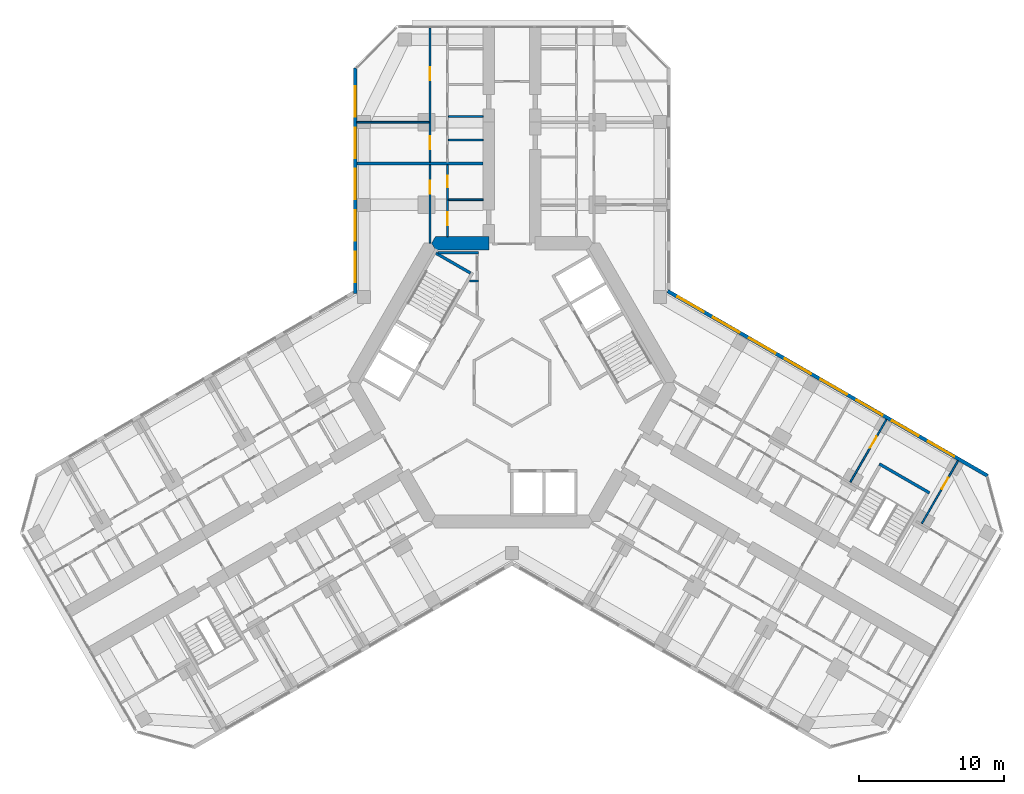
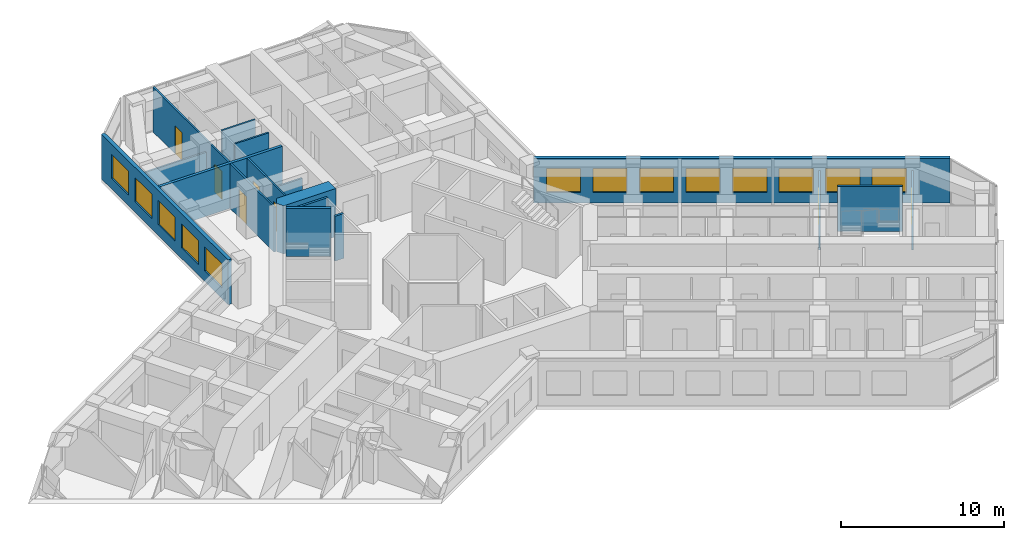
# One storey, part 16 of 19: 17 walls, 13 windows, 7 doors, 20 openings.
"""IFC4 building model written with IfcOpenShell, lengths in metres."""

from ifc_helpers import new_model, si_unit, direction, frame, frame_2d, origin, place, context, subcontext, project, spatial, polyline, rectangle, outline, extrude, material, layer, layer_set, type_object, element, fill, save


model = new_model("IFC4")

# Units and contexts
model_context = context("Model", 3, precision=1e-05, world=origin(), true_north=direction((0.0, 1.0)))
body_context = subcontext(model_context, "Body", "Model", "MODEL_VIEW")
ifc_project = project(units=[si_unit("LENGTHUNIT", "METRE"), si_unit("AREAUNIT", "SQUARE_METRE"), si_unit("VOLUMEUNIT", "CUBIC_METRE"), si_unit("PLANEANGLEUNIT", "RADIAN"), si_unit("MASSUNIT", "GRAM", prefix="KILO")], contexts=[model_context])

# Site, building, storey
site_placement = place(None, origin())
site = spatial("IfcSite", under=ifc_project, at=site_placement, CompositionType="ELEMENT")
building_placement = place(site_placement, origin())
building = spatial("IfcBuilding", under=site, at=building_placement, Name="Kosmar Iwan School Tower", CompositionType="ELEMENT")
storey_placement = place(building_placement, frame((0.0, 0.0, 134.60009765625)))
storey = spatial("IfcBuildingStorey", under=building, at=storey_placement, Name="L33", CompositionType="ELEMENT", Elevation=134.60009765625)

# Walls
ifc_material_1 = material(Name="Gypsum board on steel studs, fire-rated", Category="steel")
ifc_layer_1 = layer(ifc_material_1, 0.14990234375)
ifc_layer_set_1 = layer_set([ifc_layer_1], Name="Core room partition 150")
wall_type_1 = type_object("IfcWallType", Name="Core room partition 150", PredefinedType="PARTITIONING", material=ifc_layer_set_1)
wall_1_placement = place(storey_placement, frame((-2.324951171875, 6.985107421875, 0.0), z_axis=(0.0, 0.0, 1.0), x_axis=(-1.0, 0.0, 0.0)))
element("IfcWall", 1, at=wall_1_placement, inside=storey, type_object=wall_type_1, Name="Core room partition L33-CW2", PredefinedType="PARTITIONING", context=body_context, shape_type="SweptSolid", body=[
    extrude(rectangle(XDim=0.623779296875, YDim=0.14990234375, at=frame_2d((0.31201171875, 0.0))), origin(), (0.0, 0.0, 1.0), 3.349853515625),
])
wall_2_placement = place(storey_placement, frame((-5.089599609375, 8.93994140625, 0.0), z_axis=(0.0, 0.0, 1.0), x_axis=(1.0, 0.0, 0.0)))
element("IfcWall", 2, at=wall_2_placement, inside=storey, type_object=wall_type_1, Name="Core room partition L33-CW3", PredefinedType="PARTITIONING", context=body_context, shape_type="SweptSolid", body=[
    extrude(rectangle(XDim=2.7646484375, YDim=0.14990234375, at=frame_2d((1.38232421875, 0.0))), origin(), (0.0, 0.0, 1.0), 3.349853515625),
])
ifc_material_2 = material(Name="Concrete C50/60", Category="concrete")
ifc_layer_2 = layer(ifc_material_2, 0.89990234375)
ifc_layer_set_2 = layer_set([ifc_layer_2], Name="Core wall 900")
wall_type_2 = type_object("IfcWallType", Name="Core wall 900", PredefinedType="SHEAR", material=ifc_layer_set_2)
wall_3_placement = place(storey_placement, origin())
element("IfcWall", 3, at=wall_3_placement, inside=storey, type_object=wall_type_2, Name="Core wall F090b", PredefinedType="SHEAR", context=body_context, shape_type="SweptSolid", body=[
    extrude(outline(polyline([(-5.28271484375, 9.14990234375), (-1.60009765625, 9.14990234375), (-1.60009765625, 10.050048828125), (-5.28271484375, 10.050048828125), (-5.54248046875, 9.60009765625), (-5.28271484375, 9.14990234375)])), origin(), (0.0, 0.0, 1.0), 3.599853515625),
])

# Wall, openings, doors
ifc_material_3 = material(Name="Gypsum board on steel studs", Category="steel")
ifc_layer_3 = layer(ifc_material_3, 0.1201171875)
ifc_layer_set_3 = layer_set([ifc_layer_3], Name="Dwelling partition 120")
wall_type_3 = type_object("IfcWallType", Name="Dwelling partition 120", PredefinedType="PARTITIONING", material=ifc_layer_set_3)
wall_4_placement = place(storey_placement, frame((-4.449951171875, 10.050048828125, 0.0), z_axis=(0.0, 0.0, 1.0), x_axis=(0.0, 1.0, 0.0)))
wall_4 = element("IfcWall", 4, at=wall_4_placement, inside=storey, type_object=wall_type_3, Name="Partition L33-AL1-W1", PredefinedType="PARTITIONING", context=body_context, shape_type="SweptSolid", body=[
    extrude(rectangle(XDim=4.949951171875, YDim=0.1201171875, at=frame_2d((2.47509765625, 0.0))), origin(), (0.0, 0.0, 1.0), 3.349853515625),
])
opening_1_placement = place(wall_4_placement, frame((0.800048828125, 0.0, 0.0)))
opening_1 = element("IfcOpeningElement", 5, at=opening_1_placement, cuts=wall_4, Name="Opening D2", PredefinedType="OPENING", context=body_context, shape_type="SweptSolid", body=[
    extrude(rectangle(XDim=0.89990234375, YDim=2.10009765625, at=frame_2d((0.449951171875, 1.050048828125))), frame((0.0, 0.072021484375, 0.0), z_axis=(0.0, -1.0, 0.0), x_axis=(1.0, 0.0, 0.0)), (0.0, 0.0, 1.0), 0.14404296875),
])
opening_2_placement = place(wall_4_placement, frame((3.39990234375, 0.0, 0.0)))
opening_2 = element("IfcOpeningElement", 6, at=opening_2_placement, cuts=wall_4, Name="Opening D3", PredefinedType="OPENING", context=body_context, shape_type="SweptSolid", body=[
    extrude(rectangle(XDim=0.800048828125, YDim=2.10009765625, at=frame_2d((0.39990234375, 1.050048828125))), frame((0.0, 0.072021484375, 0.0), z_axis=(0.0, -1.0, 0.0), x_axis=(1.0, 0.0, 0.0)), (0.0, 0.0, 1.0), 0.14404296875),
])
ifc_material_4 = material(Name="Timber door in timber frame", Category="wood")
door_type_1 = type_object("IfcDoorType", Name="Internal door 900x2100", OperationType="SINGLE_SWING_LEFT", PredefinedType="DOOR", material=ifc_material_4)
door_1_placement = place(opening_1_placement, origin())
door_1 = element("IfcDoor", 7, at=door_1_placement, inside=storey, type_object=door_type_1, Name="Entrance hall door L33-AL1-S1", OperationType="SINGLE_SWING_LEFT", OverallHeight=2.10009765625, OverallWidth=0.89990234375, PredefinedType="DOOR", context=body_context, shape_type="SweptSolid", body=[
    extrude(rectangle(XDim=0.89990234375, YDim=2.10009765625, at=frame_2d((0.449951171875, 1.050048828125))), frame((0.0, 0.02490234375, 0.0), z_axis=(0.0, -1.0, 0.0), x_axis=(1.0, 0.0, 0.0)), (0.0, 0.0, 1.0), 0.050048828125),
])
fill(opening_1, door_1)
ifc_material_5 = material(Name="Timber door in timber frame", Category="wood")
door_type_2 = type_object("IfcDoorType", Name="Sanitary room door 800x2100", OperationType="SINGLE_SWING_LEFT", PredefinedType="DOOR", material=ifc_material_5)
door_2_placement = place(opening_2_placement, origin())
door_2 = element("IfcDoor", 8, at=door_2_placement, inside=storey, type_object=door_type_2, Name="Bathroom door L33-AL1-S2", OperationType="SINGLE_SWING_RIGHT", OverallHeight=2.10009765625, OverallWidth=0.800048828125, PredefinedType="DOOR", context=body_context, shape_type="SweptSolid", body=[
    extrude(rectangle(XDim=0.800048828125, YDim=2.10009765625, at=frame_2d((0.39990234375, 1.050048828125))), frame((0.0, 0.02490234375, 0.0), z_axis=(0.0, -1.0, 0.0), x_axis=(1.0, 0.0, 0.0)), (0.0, 0.0, 1.0), 0.050048828125),
])
fill(opening_2, door_2)

# Wall, opening, door
wall_5_placement = place(storey_placement, frame((-5.64990234375, 9.60009765625, 0.0), z_axis=(0.0, 0.0, 1.0), x_axis=(0.0, 1.0, 0.0)))
wall_5 = element("IfcWall", 9, at=wall_5_placement, inside=storey, type_object=wall_type_3, Name="Partition L33-AL1-W2", PredefinedType="PARTITIONING", context=body_context, shape_type="SweptSolid", body=[
    extrude(rectangle(XDim=5.39990234375, YDim=0.1201171875, at=frame_2d((2.699951171875, 0.0))), origin(), (0.0, 0.0, 1.0), 3.349853515625),
])
opening_3_placement = place(wall_5_placement, frame((3.39990234375, 0.0, 0.0)))
opening_3 = element("IfcOpeningElement", 10, at=opening_3_placement, cuts=wall_5, Name="Opening D2", PredefinedType="OPENING", context=body_context, shape_type="SweptSolid", body=[
    extrude(rectangle(XDim=0.89990234375, YDim=2.10009765625, at=frame_2d((0.449951171875, 1.050048828125))), frame((0.0, 0.072021484375, 0.0), z_axis=(0.0, -1.0, 0.0), x_axis=(1.0, 0.0, 0.0)), (0.0, 0.0, 1.0), 0.14404296875),
])
door_3_placement = place(opening_3_placement, origin())
door_3 = element("IfcDoor", 11, at=door_3_placement, inside=storey, type_object=door_type_1, Name="Studio living room and kitchen door L33-AL1-F1", OperationType="SINGLE_SWING_RIGHT", OverallHeight=2.10009765625, OverallWidth=0.89990234375, PredefinedType="DOOR", context=body_context, shape_type="SweptSolid", body=[
    extrude(rectangle(XDim=0.89990234375, YDim=2.10009765625, at=frame_2d((0.449951171875, 1.050048828125))), frame((0.0, 0.02490234375, 0.0), z_axis=(0.0, -1.0, 0.0), x_axis=(1.0, 0.0, 0.0)), (0.0, 0.0, 1.0), 0.050048828125),
])
fill(opening_3, door_3)

# Wall
wall_6_placement = place(storey_placement, frame((-2.0, 12.60009765625, 0.0), z_axis=(0.0, 0.0, 1.0), x_axis=(-1.0, 0.0, 0.0)))
element("IfcWall", 12, at=wall_6_placement, inside=storey, type_object=wall_type_3, Name="Partition L33-AL1-Y1", PredefinedType="PARTITIONING", context=body_context, shape_type="SweptSolid", body=[
    extrude(rectangle(XDim=2.389892578125, YDim=0.1201171875, at=frame_2d((1.19482421875, 0.0))), origin(), (0.0, 0.0, 1.0), 2.449951171875),
])

# Wall, openings, doors
wall_7_placement = place(storey_placement, frame((-5.64990234375, 15.199951171875, 0.0), z_axis=(0.0, 0.0, 1.0), x_axis=(0.0, 1.0, 0.0)))
wall_7 = element("IfcWall", 13, at=wall_7_placement, inside=storey, type_object=wall_type_3, Name="Partition L33-AL2-W2", PredefinedType="PARTITIONING", context=body_context, shape_type="SweptSolid", body=[
    extrude(rectangle(XDim=9.2451171875, YDim=0.1201171875, at=frame_2d((4.62255859375, 0.0))), origin(), (0.0, 0.0, 1.0), 3.349853515625),
])
opening_4_placement = place(wall_7_placement, frame((0.875, 0.0, 0.0)))
opening_4 = element("IfcOpeningElement", 14, at=opening_4_placement, cuts=wall_7, Name="Opening D2", PredefinedType="OPENING", context=body_context, shape_type="SweptSolid", body=[
    extrude(rectangle(XDim=0.89990234375, YDim=2.10009765625, at=frame_2d((0.449951171875, 1.050048828125))), frame((0.0, 0.072021484375, 0.0), z_axis=(0.0, -1.0, 0.0), x_axis=(1.0, 0.0, 0.0)), (0.0, 0.0, 1.0), 0.14404296875),
])
opening_5_placement = place(wall_7_placement, frame((5.64990234375, 0.0, 0.0)))
opening_5 = element("IfcOpeningElement", 15, at=opening_5_placement, cuts=wall_7, Name="Opening D2", PredefinedType="OPENING", context=body_context, shape_type="SweptSolid", body=[
    extrude(rectangle(XDim=0.89990234375, YDim=2.10009765625, at=frame_2d((0.449951171875, 1.050048828125))), frame((0.0, 0.072021484375, 0.0), z_axis=(0.0, -1.0, 0.0), x_axis=(1.0, 0.0, 0.0)), (0.0, 0.0, 1.0), 0.14404296875),
])
door_4_placement = place(opening_4_placement, origin())
door_4 = element("IfcDoor", 16, at=door_4_placement, inside=storey, type_object=door_type_1, Name="Bedroom 1 door L33-AL2-F1", OperationType="SINGLE_SWING_LEFT", OverallHeight=2.10009765625, OverallWidth=0.89990234375, PredefinedType="DOOR", context=body_context, shape_type="SweptSolid", body=[
    extrude(rectangle(XDim=0.89990234375, YDim=2.10009765625, at=frame_2d((0.449951171875, 1.050048828125))), frame((0.0, 0.02490234375, 0.0), z_axis=(0.0, -1.0, 0.0), x_axis=(1.0, 0.0, 0.0)), (0.0, 0.0, 1.0), 0.050048828125),
])
fill(opening_4, door_4)
door_5_placement = place(opening_5_placement, origin())
door_5 = element("IfcDoor", 17, at=door_5_placement, inside=storey, type_object=door_type_1, Name="Family room and kitchen door L33-AL2-F2", OperationType="SINGLE_SWING_RIGHT", OverallHeight=2.10009765625, OverallWidth=0.89990234375, PredefinedType="DOOR", context=body_context, shape_type="SweptSolid", body=[
    extrude(rectangle(XDim=0.89990234375, YDim=2.10009765625, at=frame_2d((0.449951171875, 1.050048828125))), frame((0.0, 0.02490234375, 0.0), z_axis=(0.0, -1.0, 0.0), x_axis=(1.0, 0.0, 0.0)), (0.0, 0.0, 1.0), 0.050048828125),
])
fill(opening_5, door_5)

# Walls
wall_8_placement = place(storey_placement, frame((-5.7099609375, 17.949951171875, 0.0), z_axis=(0.0, 0.0, 1.0), x_axis=(-1.0, 0.0, 0.0)))
element("IfcWall", 18, at=wall_8_placement, inside=storey, type_object=wall_type_3, Name="Partition L33-AL2-X1", PredefinedType="PARTITIONING", context=body_context, shape_type="SweptSolid", body=[
    extrude(rectangle(XDim=4.989990234375, YDim=0.1201171875, at=frame_2d((2.4951171875, 0.0))), origin(), (0.0, 0.0, 1.0), 2.449951171875),
])
for number, where, z_axis, x_axis, name in (
    (19, (-2.0, 16.72509765625, 0.0), (0.0, 0.0, 1.0), (-1.0, 0.0, 0.0), "Partition L33-AL2-Y1"),
    (20, (-2.0, 18.35009765625, 0.0), (0.0, 0.0, 1.0), (-1.0, 0.0, 0.0), "Partition L33-AL2-Y2"),
):
    element("IfcWall", number, at=place(storey_placement, frame(where, z_axis=z_axis, x_axis=x_axis)), inside=storey, type_object=wall_type_3, Name=name, PredefinedType="PARTITIONING", context=body_context, shape_type="SweptSolid", body=[
        extrude(rectangle(XDim=2.389892578125, YDim=0.1201171875, at=frame_2d((1.19482421875, 0.0))), origin(), (0.0, 0.0, 1.0), 3.349853515625),
    ])

# Wall, opening, door
wall_9_placement = place(storey_placement, frame((23.33642578125, -6.8798828125, 0.0), z_axis=(0.0, 0.0, 1.0), x_axis=(0.500033033937, 0.866006330792, 0.0)))
wall_9 = element("IfcWall", 21, at=wall_9_placement, inside=storey, type_object=wall_type_3, Name="Partition L33-CL2-TB", PredefinedType="PARTITIONING", context=body_context, shape_type="SweptSolid", body=[
    extrude(rectangle(XDim=4.989990234375, YDim=0.1201171875, at=frame_2d((2.4951171875, 0.0))), origin(), (0.0, 0.0, 1.0), 2.449951171875),
])
opening_6_placement = place(wall_9_placement, frame((2.739990234375, 0.0, 0.0)))
opening_6 = element("IfcOpeningElement", 22, at=opening_6_placement, cuts=wall_9, Name="Opening D2", PredefinedType="OPENING", context=body_context, shape_type="SweptSolid", body=[
    extrude(rectangle(XDim=0.89990234375, YDim=2.10009765625, at=frame_2d((0.449951171875, 1.050048828125))), frame((0.0, 0.072021484375, 0.0), z_axis=(0.0, -1.0, 0.0), x_axis=(1.0, 0.0, 0.0)), (0.0, 0.0, 1.0), 0.14404296875),
])
door_6_placement = place(opening_6_placement, origin())
door_6 = element("IfcDoor", 23, at=door_6_placement, inside=storey, type_object=door_type_1, Name="Study door L33-CL2-F2", OperationType="SINGLE_SWING_RIGHT", OverallHeight=2.10009765625, OverallWidth=0.89990234375, PredefinedType="DOOR", context=body_context, shape_type="SweptSolid", body=[
    extrude(rectangle(XDim=0.89990234375, YDim=2.10009765625, at=frame_2d((0.449951171875, 1.050048828125))), frame((0.0, 0.02490234375, 0.0), z_axis=(0.0, -1.0, 0.0), x_axis=(1.0, 0.0, 0.0)), (0.0, 0.0, 1.0), 0.050048828125),
])
fill(opening_6, door_6)

wall_10_placement = place(storey_placement, frame((28.27294921875, -9.72998046875, 0.0), z_axis=(0.0, 0.0, 1.0), x_axis=(0.499975153383, 0.86603974851, 0.0)))
wall_10 = element("IfcWall", 24, at=wall_10_placement, inside=storey, type_object=wall_type_3, Name="Partition L33-CL2-TX", PredefinedType="PARTITIONING", context=body_context, shape_type="SweptSolid", body=[
    extrude(rectangle(XDim=4.989990234375, YDim=0.1201171875, at=frame_2d((2.4951171875, 0.0))), origin(), (0.0, 0.0, 1.0), 2.449951171875),
])
opening_7_placement = place(wall_10_placement, frame((2.739990234375, 0.0, 0.0)))
opening_7 = element("IfcOpeningElement", 25, at=opening_7_placement, cuts=wall_10, Name="Opening D2", PredefinedType="OPENING", context=body_context, shape_type="SweptSolid", body=[
    extrude(rectangle(XDim=0.89990234375, YDim=2.10009765625, at=frame_2d((0.449951171875, 1.050048828125))), frame((0.0, 0.072021484375, 0.0), z_axis=(0.0, -1.0, 0.0), x_axis=(1.0, 0.0, 0.0)), (0.0, 0.0, 1.0), 0.14404296875),
])
door_7_placement = place(opening_7_placement, origin())
door_7 = element("IfcDoor", 26, at=door_7_placement, inside=storey, type_object=door_type_1, Name="Study door L33-CL2-T1", OperationType="SINGLE_SWING_RIGHT", OverallHeight=2.10009765625, OverallWidth=0.89990234375, PredefinedType="DOOR", context=body_context, shape_type="SweptSolid", body=[
    extrude(rectangle(XDim=0.89990234375, YDim=2.10009765625, at=frame_2d((0.449951171875, 1.050048828125))), frame((0.0, 0.02490234375, 0.0), z_axis=(0.0, -1.0, 0.0), x_axis=(1.0, 0.0, 0.0)), (0.0, 0.0, 1.0), 0.050048828125),
])
fill(opening_7, door_7)

# Wall
ifc_material_6 = material(Name="Concrete C35/45", Category="concrete")
ifc_layer_4 = layer(ifc_material_6, 0.199951171875)
ifc_layer_set_4 = layer_set([ifc_layer_4], Name="Escape stair wall 200")
wall_type_4 = type_object("IfcWallType", Name="Escape stair wall 200", PredefinedType="SHEAR", material=ifc_layer_set_4)
wall_11_placement = place(storey_placement, frame((25.334228515625, -5.6201171875, 0.0), z_axis=(0.0, 0.0, 1.0), x_axis=(0.866026010844, -0.49999894854, 0.0)))
element("IfcWall", 27, at=wall_11_placement, inside=storey, type_object=wall_type_4, Name="Stair WS3 wall", PredefinedType="SHEAR", context=body_context, shape_type="SweptSolid", body=[
    extrude(rectangle(XDim=4.0, YDim=0.199951171875, at=frame_2d((2.0, 0.0))), origin(), (0.0, 0.0, 1.0), 3.329833984375),
])

# Wall, openings, windows
ifc_material_7 = material(Name="Black aluminium rainscreen on insulated framing", Category="aluminium")
ifc_layer_5 = layer(ifc_material_7, 0.25)
ifc_layer_set_5 = layer_set([ifc_layer_5], Name="External wall rainscreen 250")
wall_type_5 = type_object("IfcWallType", Name="External wall rainscreen 250", PredefinedType="SOLIDWALL", material=ifc_layer_set_5)
wall_12_placement = place(storey_placement, frame((10.73681640625, 6.30078125, 0.0), z_axis=(0.0, 0.0, 1.0), x_axis=(0.866026390279, -0.499998291337, 0.0)))
wall_12 = element("IfcWall", 28, at=wall_12_placement, inside=storey, type_object=wall_type_5, Name="External wall CL L33", PredefinedType="SOLIDWALL", context=body_context, shape_type="SweptSolid", body=[
    extrude(rectangle(XDim=25.4873046875, YDim=0.25, at=frame_2d((12.74365234375, 0.0))), origin(), (0.0, 0.0, 1.0), 3.349853515625),
])
opening_8_placement = place(wall_12_placement, frame((0.777099609375, 0.0, 0.800048828125)))
opening_8 = element("IfcOpeningElement", 29, at=opening_8_placement, cuts=wall_12, Name="Opening W4", PredefinedType="OPENING", context=body_context, shape_type="SweptSolid", body=[
    extrude(rectangle(XDim=2.10009765625, YDim=1.800048828125, at=frame_2d((1.050048828125, 0.89990234375))), frame((0.0, 0.136962890625, 0.0), z_axis=(0.0, -1.0, 0.0), x_axis=(1.0, 0.0, 0.0)), (0.0, 0.0, 1.0), 0.27392578125),
])
opening_9_placement = place(wall_12_placement, frame((3.626953125, 0.0, 0.800048828125)))
opening_9 = element("IfcOpeningElement", 30, at=opening_9_placement, cuts=wall_12, Name="Opening W4", PredefinedType="OPENING", context=body_context, shape_type="SweptSolid", body=[
    extrude(rectangle(XDim=2.10009765625, YDim=1.800048828125, at=frame_2d((1.050048828125, 0.89990234375))), frame((0.0, 0.136962890625, 0.0), z_axis=(0.0, -1.0, 0.0), x_axis=(1.0, 0.0, 0.0)), (0.0, 0.0, 1.0), 0.27392578125),
])
opening_10_placement = place(wall_12_placement, frame((6.47705078125, 0.0, 0.800048828125)))
opening_10 = element("IfcOpeningElement", 31, at=opening_10_placement, cuts=wall_12, Name="Opening W4", PredefinedType="OPENING", context=body_context, shape_type="SweptSolid", body=[
    extrude(rectangle(XDim=2.10009765625, YDim=1.800048828125, at=frame_2d((1.050048828125, 0.89990234375))), frame((0.0, 0.136962890625, 0.0), z_axis=(0.0, -1.0, 0.0), x_axis=(1.0, 0.0, 0.0)), (0.0, 0.0, 1.0), 0.27392578125),
])
opening_11_placement = place(wall_12_placement, frame((9.326904296875, 0.0, 0.800048828125)))
opening_11 = element("IfcOpeningElement", 32, at=opening_11_placement, cuts=wall_12, Name="Opening W4", PredefinedType="OPENING", context=body_context, shape_type="SweptSolid", body=[
    extrude(rectangle(XDim=2.10009765625, YDim=1.800048828125, at=frame_2d((1.050048828125, 0.89990234375))), frame((0.0, 0.136962890625, 0.0), z_axis=(0.0, -1.0, 0.0), x_axis=(1.0, 0.0, 0.0)), (0.0, 0.0, 1.0), 0.27392578125),
])
opening_12_placement = place(wall_12_placement, frame((12.177001953125, 0.0, 0.800048828125)))
opening_12 = element("IfcOpeningElement", 33, at=opening_12_placement, cuts=wall_12, Name="Opening W4", PredefinedType="OPENING", context=body_context, shape_type="SweptSolid", body=[
    extrude(rectangle(XDim=2.10009765625, YDim=1.800048828125, at=frame_2d((1.050048828125, 0.89990234375))), frame((0.0, 0.136962890625, 0.0), z_axis=(0.0, -1.0, 0.0), x_axis=(1.0, 0.0, 0.0)), (0.0, 0.0, 1.0), 0.27392578125),
])
opening_13_placement = place(wall_12_placement, frame((15.027099609375, 0.0, 0.800048828125)))
opening_13 = element("IfcOpeningElement", 34, at=opening_13_placement, cuts=wall_12, Name="Opening W4", PredefinedType="OPENING", context=body_context, shape_type="SweptSolid", body=[
    extrude(rectangle(XDim=2.10009765625, YDim=1.800048828125, at=frame_2d((1.050048828125, 0.89990234375))), frame((0.0, 0.136962890625, 0.0), z_axis=(0.0, -1.0, 0.0), x_axis=(1.0, 0.0, 0.0)), (0.0, 0.0, 1.0), 0.27392578125),
])
opening_14_placement = place(wall_12_placement, frame((17.876953125, 0.0, 0.800048828125)))
opening_14 = element("IfcOpeningElement", 35, at=opening_14_placement, cuts=wall_12, Name="Opening W4", PredefinedType="OPENING", context=body_context, shape_type="SweptSolid", body=[
    extrude(rectangle(XDim=2.10009765625, YDim=1.800048828125, at=frame_2d((1.050048828125, 0.89990234375))), frame((0.0, 0.136962890625, 0.0), z_axis=(0.0, -1.0, 0.0), x_axis=(1.0, 0.0, 0.0)), (0.0, 0.0, 1.0), 0.27392578125),
])
opening_15_placement = place(wall_12_placement, frame((20.72705078125, 0.0, 0.800048828125)))
opening_15 = element("IfcOpeningElement", 36, at=opening_15_placement, cuts=wall_12, Name="Opening W4", PredefinedType="OPENING", context=body_context, shape_type="SweptSolid", body=[
    extrude(rectangle(XDim=2.10009765625, YDim=1.800048828125, at=frame_2d((1.050048828125, 0.89990234375))), frame((0.0, 0.136962890625, 0.0), z_axis=(0.0, -1.0, 0.0), x_axis=(1.0, 0.0, 0.0)), (0.0, 0.0, 1.0), 0.27392578125),
])
ifc_material_8 = material(Name="Black aluminium frame with dark triple glazing", Category="aluminium")
window_type = type_object("IfcWindowType", Name="Window 2100x1800", PartitioningType="SINGLE_PANEL", PredefinedType="WINDOW", material=ifc_material_8)
window_1_placement = place(opening_8_placement, origin())
window_1 = element("IfcWindow", 37, at=window_1_placement, inside=storey, type_object=window_type, Name="Window CL L33 -1", OverallHeight=1.800048828125, OverallWidth=2.10009765625, PartitioningType="SINGLE_PANEL", PredefinedType="WINDOW", context=body_context, shape_type="SweptSolid", body=[
    extrude(rectangle(XDim=2.10009765625, YDim=1.800048828125, at=frame_2d((1.050048828125, 0.89990234375))), frame((0.0, 0.030029296875, 0.0), z_axis=(0.0, -1.0, 0.0), x_axis=(1.0, 0.0, 0.0)), (0.0, 0.0, 1.0), 0.06005859375),
])
fill(opening_8, window_1)
window_2_placement = place(opening_9_placement, origin())
window_2 = element("IfcWindow", 38, at=window_2_placement, inside=storey, type_object=window_type, Name="Window CL L33 0", OverallHeight=1.800048828125, OverallWidth=2.10009765625, PartitioningType="SINGLE_PANEL", PredefinedType="WINDOW", context=body_context, shape_type="SweptSolid", body=[
    extrude(rectangle(XDim=2.10009765625, YDim=1.800048828125, at=frame_2d((1.050048828125, 0.89990234375))), frame((0.0, 0.030029296875, 0.0), z_axis=(0.0, -1.0, 0.0), x_axis=(1.0, 0.0, 0.0)), (0.0, 0.0, 1.0), 0.06005859375),
])
fill(opening_9, window_2)
window_3_placement = place(opening_10_placement, origin())
window_3 = element("IfcWindow", 39, at=window_3_placement, inside=storey, type_object=window_type, Name="Window CL L33 1", OverallHeight=1.800048828125, OverallWidth=2.10009765625, PartitioningType="SINGLE_PANEL", PredefinedType="WINDOW", context=body_context, shape_type="SweptSolid", body=[
    extrude(rectangle(XDim=2.10009765625, YDim=1.800048828125, at=frame_2d((1.050048828125, 0.89990234375))), frame((0.0, 0.030029296875, 0.0), z_axis=(0.0, -1.0, 0.0), x_axis=(1.0, 0.0, 0.0)), (0.0, 0.0, 1.0), 0.06005859375),
])
fill(opening_10, window_3)
window_4_placement = place(opening_11_placement, origin())
window_4 = element("IfcWindow", 40, at=window_4_placement, inside=storey, type_object=window_type, Name="Window CL L33 2", OverallHeight=1.800048828125, OverallWidth=2.10009765625, PartitioningType="SINGLE_PANEL", PredefinedType="WINDOW", context=body_context, shape_type="SweptSolid", body=[
    extrude(rectangle(XDim=2.10009765625, YDim=1.800048828125, at=frame_2d((1.050048828125, 0.89990234375))), frame((0.0, 0.030029296875, 0.0), z_axis=(0.0, -1.0, 0.0), x_axis=(1.0, 0.0, 0.0)), (0.0, 0.0, 1.0), 0.06005859375),
])
fill(opening_11, window_4)
window_5_placement = place(opening_12_placement, origin())
window_5 = element("IfcWindow", 41, at=window_5_placement, inside=storey, type_object=window_type, Name="Window CL L33 3", OverallHeight=1.800048828125, OverallWidth=2.10009765625, PartitioningType="SINGLE_PANEL", PredefinedType="WINDOW", context=body_context, shape_type="SweptSolid", body=[
    extrude(rectangle(XDim=2.10009765625, YDim=1.800048828125, at=frame_2d((1.050048828125, 0.89990234375))), frame((0.0, 0.030029296875, 0.0), z_axis=(0.0, -1.0, 0.0), x_axis=(1.0, 0.0, 0.0)), (0.0, 0.0, 1.0), 0.06005859375),
])
fill(opening_12, window_5)
window_6_placement = place(opening_13_placement, origin())
window_6 = element("IfcWindow", 42, at=window_6_placement, inside=storey, type_object=window_type, Name="Window CL L33 4", OverallHeight=1.800048828125, OverallWidth=2.10009765625, PartitioningType="SINGLE_PANEL", PredefinedType="WINDOW", context=body_context, shape_type="SweptSolid", body=[
    extrude(rectangle(XDim=2.10009765625, YDim=1.800048828125, at=frame_2d((1.050048828125, 0.89990234375))), frame((0.0, 0.030029296875, 0.0), z_axis=(0.0, -1.0, 0.0), x_axis=(1.0, 0.0, 0.0)), (0.0, 0.0, 1.0), 0.06005859375),
])
fill(opening_13, window_6)
window_7_placement = place(opening_14_placement, origin())
window_7 = element("IfcWindow", 43, at=window_7_placement, inside=storey, type_object=window_type, Name="Window CL L33 5", OverallHeight=1.800048828125, OverallWidth=2.10009765625, PartitioningType="SINGLE_PANEL", PredefinedType="WINDOW", context=body_context, shape_type="SweptSolid", body=[
    extrude(rectangle(XDim=2.10009765625, YDim=1.800048828125, at=frame_2d((1.050048828125, 0.89990234375))), frame((0.0, 0.030029296875, 0.0), z_axis=(0.0, -1.0, 0.0), x_axis=(1.0, 0.0, 0.0)), (0.0, 0.0, 1.0), 0.06005859375),
])
fill(opening_14, window_7)
window_8_placement = place(opening_15_placement, origin())
window_8 = element("IfcWindow", 44, at=window_8_placement, inside=storey, type_object=window_type, Name="Window CL L33 6", OverallHeight=1.800048828125, OverallWidth=2.10009765625, PartitioningType="SINGLE_PANEL", PredefinedType="WINDOW", context=body_context, shape_type="SweptSolid", body=[
    extrude(rectangle(XDim=2.10009765625, YDim=1.800048828125, at=frame_2d((1.050048828125, 0.89990234375))), frame((0.0, 0.030029296875, 0.0), z_axis=(0.0, -1.0, 0.0), x_axis=(1.0, 0.0, 0.0)), (0.0, 0.0, 1.0), 0.06005859375),
])
fill(opening_15, window_8)

wall_13_placement = place(storey_placement, frame((-10.824951171875, 6.14794921875, 0.0), z_axis=(0.0, 0.0, 1.0), x_axis=(0.0, 1.0, 0.0)))
wall_13 = element("IfcWall", 45, at=wall_13_placement, inside=storey, type_object=wall_type_5, Name="External wall AL L33", PredefinedType="SOLIDWALL", context=body_context, shape_type="SweptSolid", body=[
    extrude(rectangle(XDim=15.537353515625, YDim=0.25, at=frame_2d((7.7685546875, 0.0))), origin(), (0.0, 0.0, 1.0), 3.349853515625),
])
opening_16_placement = place(wall_13_placement, frame((0.777099609375, 0.0, 0.800048828125)))
opening_16 = element("IfcOpeningElement", 46, at=opening_16_placement, cuts=wall_13, Name="Opening W4", PredefinedType="OPENING", context=body_context, shape_type="SweptSolid", body=[
    extrude(rectangle(XDim=2.10009765625, YDim=1.800048828125, at=frame_2d((1.050048828125, 0.89990234375))), frame((0.0, 0.136962890625, 0.0), z_axis=(0.0, -1.0, 0.0), x_axis=(1.0, 0.0, 0.0)), (0.0, 0.0, 1.0), 0.27392578125),
])
opening_17_placement = place(wall_13_placement, frame((3.626953125, 0.0, 0.800048828125)))
opening_17 = element("IfcOpeningElement", 47, at=opening_17_placement, cuts=wall_13, Name="Opening W4", PredefinedType="OPENING", context=body_context, shape_type="SweptSolid", body=[
    extrude(rectangle(XDim=2.10009765625, YDim=1.800048828125, at=frame_2d((1.050048828125, 0.89990234375))), frame((0.0, 0.136962890625, 0.0), z_axis=(0.0, -1.0, 0.0), x_axis=(1.0, 0.0, 0.0)), (0.0, 0.0, 1.0), 0.27392578125),
])
opening_18_placement = place(wall_13_placement, frame((6.47705078125, 0.0, 0.800048828125)))
opening_18 = element("IfcOpeningElement", 48, at=opening_18_placement, cuts=wall_13, Name="Opening W4", PredefinedType="OPENING", context=body_context, shape_type="SweptSolid", body=[
    extrude(rectangle(XDim=2.10009765625, YDim=1.800048828125, at=frame_2d((1.050048828125, 0.89990234375))), frame((0.0, 0.136962890625, 0.0), z_axis=(0.0, -1.0, 0.0), x_axis=(1.0, 0.0, 0.0)), (0.0, 0.0, 1.0), 0.27392578125),
])
opening_19_placement = place(wall_13_placement, frame((9.326904296875, 0.0, 0.800048828125)))
opening_19 = element("IfcOpeningElement", 49, at=opening_19_placement, cuts=wall_13, Name="Opening W4", PredefinedType="OPENING", context=body_context, shape_type="SweptSolid", body=[
    extrude(rectangle(XDim=2.10009765625, YDim=1.800048828125, at=frame_2d((1.050048828125, 0.89990234375))), frame((0.0, 0.136962890625, 0.0), z_axis=(0.0, -1.0, 0.0), x_axis=(1.0, 0.0, 0.0)), (0.0, 0.0, 1.0), 0.27392578125),
])
opening_20_placement = place(wall_13_placement, frame((12.177001953125, 0.0, 0.800048828125)))
opening_20 = element("IfcOpeningElement", 50, at=opening_20_placement, cuts=wall_13, Name="Opening W4", PredefinedType="OPENING", context=body_context, shape_type="SweptSolid", body=[
    extrude(rectangle(XDim=2.10009765625, YDim=1.800048828125, at=frame_2d((1.050048828125, 0.89990234375))), frame((0.0, 0.136962890625, 0.0), z_axis=(0.0, -1.0, 0.0), x_axis=(1.0, 0.0, 0.0)), (0.0, 0.0, 1.0), 0.27392578125),
])
window_9_placement = place(opening_16_placement, origin())
window_9 = element("IfcWindow", 51, at=window_9_placement, inside=storey, type_object=window_type, Name="Window AL L33 -1", OverallHeight=1.800048828125, OverallWidth=2.10009765625, PartitioningType="SINGLE_PANEL", PredefinedType="WINDOW", context=body_context, shape_type="SweptSolid", body=[
    extrude(rectangle(XDim=2.10009765625, YDim=1.800048828125, at=frame_2d((1.050048828125, 0.89990234375))), frame((0.0, 0.030029296875, 0.0), z_axis=(0.0, -1.0, 0.0), x_axis=(1.0, 0.0, 0.0)), (0.0, 0.0, 1.0), 0.06005859375),
])
fill(opening_16, window_9)
window_10_placement = place(opening_17_placement, origin())
window_10 = element("IfcWindow", 52, at=window_10_placement, inside=storey, type_object=window_type, Name="Window AL L33 0", OverallHeight=1.800048828125, OverallWidth=2.10009765625, PartitioningType="SINGLE_PANEL", PredefinedType="WINDOW", context=body_context, shape_type="SweptSolid", body=[
    extrude(rectangle(XDim=2.10009765625, YDim=1.800048828125, at=frame_2d((1.050048828125, 0.89990234375))), frame((0.0, 0.030029296875, 0.0), z_axis=(0.0, -1.0, 0.0), x_axis=(1.0, 0.0, 0.0)), (0.0, 0.0, 1.0), 0.06005859375),
])
fill(opening_17, window_10)
window_11_placement = place(opening_18_placement, origin())
window_11 = element("IfcWindow", 53, at=window_11_placement, inside=storey, type_object=window_type, Name="Window AL L33 1", OverallHeight=1.800048828125, OverallWidth=2.10009765625, PartitioningType="SINGLE_PANEL", PredefinedType="WINDOW", context=body_context, shape_type="SweptSolid", body=[
    extrude(rectangle(XDim=2.10009765625, YDim=1.800048828125, at=frame_2d((1.050048828125, 0.89990234375))), frame((0.0, 0.030029296875, 0.0), z_axis=(0.0, -1.0, 0.0), x_axis=(1.0, 0.0, 0.0)), (0.0, 0.0, 1.0), 0.06005859375),
])
fill(opening_18, window_11)
window_12_placement = place(opening_19_placement, origin())
window_12 = element("IfcWindow", 54, at=window_12_placement, inside=storey, type_object=window_type, Name="Window AL L33 2", OverallHeight=1.800048828125, OverallWidth=2.10009765625, PartitioningType="SINGLE_PANEL", PredefinedType="WINDOW", context=body_context, shape_type="SweptSolid", body=[
    extrude(rectangle(XDim=2.10009765625, YDim=1.800048828125, at=frame_2d((1.050048828125, 0.89990234375))), frame((0.0, 0.030029296875, 0.0), z_axis=(0.0, -1.0, 0.0), x_axis=(1.0, 0.0, 0.0)), (0.0, 0.0, 1.0), 0.06005859375),
])
fill(opening_19, window_12)
window_13_placement = place(opening_20_placement, origin())
window_13 = element("IfcWindow", 55, at=window_13_placement, inside=storey, type_object=window_type, Name="Window AL L33 3", OverallHeight=1.800048828125, OverallWidth=2.10009765625, PartitioningType="SINGLE_PANEL", PredefinedType="WINDOW", context=body_context, shape_type="SweptSolid", body=[
    extrude(rectangle(XDim=2.10009765625, YDim=1.800048828125, at=frame_2d((1.050048828125, 0.89990234375))), frame((0.0, 0.030029296875, 0.0), z_axis=(0.0, -1.0, 0.0), x_axis=(1.0, 0.0, 0.0)), (0.0, 0.0, 1.0), 0.06005859375),
])
fill(opening_20, window_13)

# Walls
ifc_material_9 = material(Name="Concrete block masonry", Category="masonry")
ifc_layer_6 = layer(ifc_material_9, 0.199951171875)
ifc_layer_set_6 = layer_set([ifc_layer_6], Name="Party wall 200")
wall_type_6 = type_object("IfcWallType", Name="Party wall 200", PredefinedType="PARTITIONING", material=ifc_layer_set_6)
wall_14_placement = place(storey_placement, frame((-2.0, 15.10009765625, 0.0), z_axis=(0.0, 0.0, 1.0), x_axis=(-1.0, 0.0, 0.0)))
element("IfcWall", 56, at=wall_14_placement, inside=storey, type_object=wall_type_6, Name="Partition L33-AL2-PW", PredefinedType="PARTITIONING", context=body_context, shape_type="SweptSolid", body=[
    extrude(rectangle(XDim=8.699951171875, YDim=0.199951171875, at=frame_2d((4.35009765625, 0.0))), origin(), (0.0, 0.0, 1.0), 3.349853515625),
])
ifc_material_10 = material(Name="Concrete C50/60", Category="concrete")
ifc_layer_7 = layer(ifc_material_10, 0.199951171875)
ifc_layer_set_7 = layer_set([ifc_layer_7], Name="Stair enclosure wall 200")
wall_type_7 = type_object("IfcWallType", Name="Stair enclosure wall 200", PredefinedType="SHEAR", material=ifc_layer_set_7)
wall_15_placement = place(storey_placement, frame((-2.862548828125, 7.541748046875, 0.0), z_axis=(0.0, 0.0, 1.0), x_axis=(-0.866027397988, 0.499996545922, 0.0)))
element("IfcWall", 57, at=wall_15_placement, inside=storey, type_object=wall_type_7, Name="Stair ST2 wall", PredefinedType="SHEAR", context=body_context, shape_type="SweptSolid", body=[
    extrude(rectangle(XDim=2.75, YDim=0.199951171875, at=frame_2d((1.375, 0.0))), origin(), (0.0, 0.0, 1.0), 3.599853515625),
])

save(model, "model.ifc")
